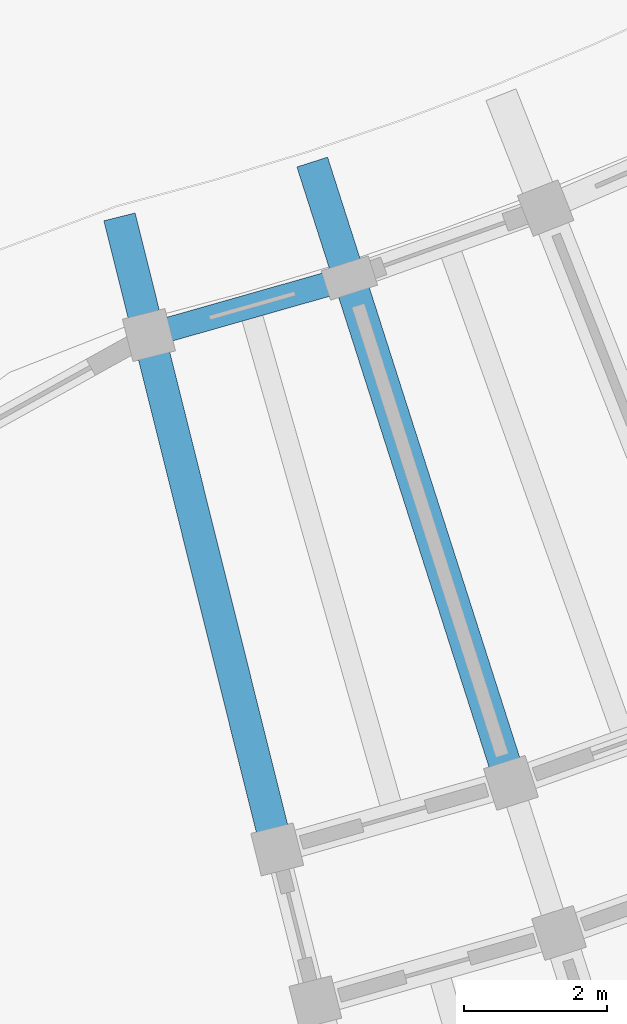
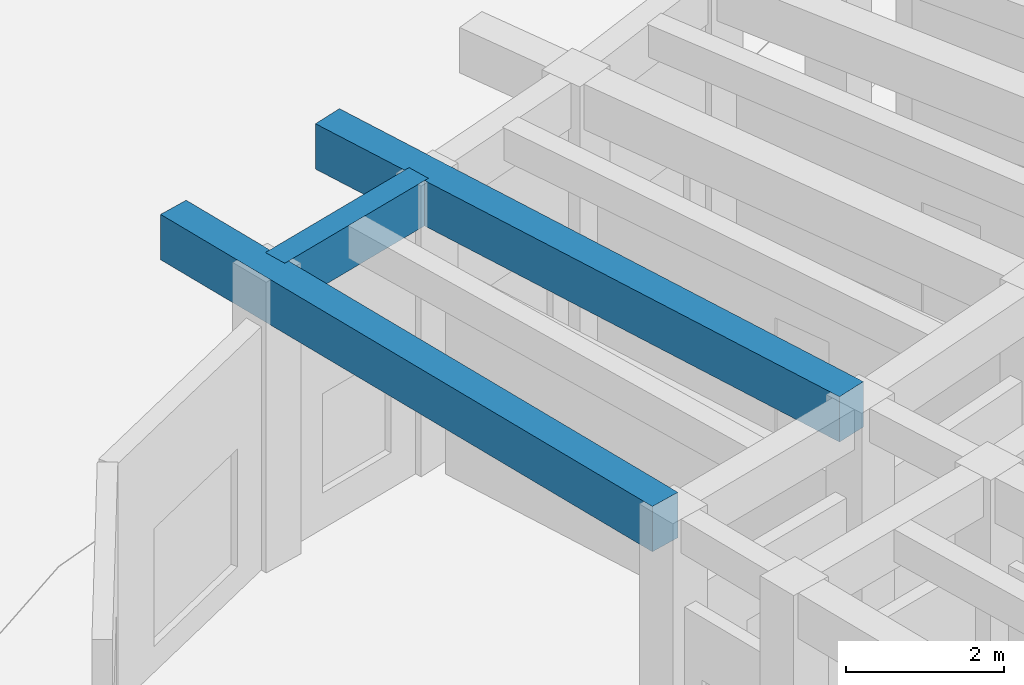
# One storey, part 28 of 132: 3 beams.
"""IFC4 building model written with IfcOpenShell, lengths in metres."""

from ifc_helpers import new_model, si_unit, direction, frame, origin, origin_2d, place, context, subcontext, project, spatial, rectangle, extrude, material, material_profile, profile_set, type_object, element, save


model = new_model("IFC4")

# Units and contexts
model_context = context("Model", 3, precision=1e-05, world=origin(), true_north=direction((0.0, 1.0)))
body_context = subcontext(model_context, "Body", "Model", "MODEL_VIEW")
ifc_project = project(units=[si_unit("LENGTHUNIT", "METRE"), si_unit("AREAUNIT", "SQUARE_METRE"), si_unit("VOLUMEUNIT", "CUBIC_METRE"), si_unit("PLANEANGLEUNIT", "RADIAN"), si_unit("MASSUNIT", "GRAM", prefix="KILO")], contexts=[model_context])

# Site, building, storey
site_placement = place(None, origin())
site = spatial("IfcSite", under=ifc_project, at=site_placement, CompositionType="ELEMENT")
building_placement = place(site_placement, origin())
building = spatial("IfcBuilding", under=site, at=building_placement, Name="Tanwirah Colonnade Gardens", CompositionType="ELEMENT")
storey_placement = place(building_placement, origin())
storey = spatial("IfcBuildingStorey", under=building, at=storey_placement, Name="L00", CompositionType="ELEMENT", Elevation=0.0)

# Beams
ifc_material = material(Name="Precast concrete C45/55", Category="concrete")
ifc_material_profile_1 = material_profile(ifc_material, rectangle(XDim=0.449951171875, YDim=0.699951171875, at=origin_2d()), Name="PC-BM 450x700")
ifc_profile_set_1 = profile_set([ifc_material_profile_1], Name="Precast concrete C45/55")
beam_type_1 = type_object("IfcBeamType", Name="BM-PC450", PredefinedType="BEAM", material=ifc_profile_set_1)
for number, where, z_axis, x_axis, name in (
    (1, (133.50732421875, 14.335693359375, 4.135009765625), (-0.241932243826, 0.970293146115, 0.0), (-0.970293146115, -0.241932243826, 0.0), "Block D L00 Inner Radial Precast Girder 0"),
    (2, (136.761474609375, 15.26123046875, 4.135009765625), (-0.304862826508, 0.952396270999, 0.0), (-0.952396270999, -0.304862826508, 0.0), "Block D L00 Inner Radial Precast Girder 1"),
):
    element("IfcBeam", number, at=place(storey_placement, frame(where, z_axis=z_axis, x_axis=x_axis)), inside=storey, type_object=beam_type_1, Name=name, PredefinedType="BEAM", context=body_context, shape_type="SweptSolid", body=[
        extrude(rectangle(XDim=0.449951171875, YDim=0.699951171875, at=origin_2d()), origin(), (0.0, 0.0, 1.0), 8.949951171875),
    ])
ifc_material_profile_2 = material_profile(ifc_material, rectangle(XDim=0.340087890625, YDim=0.699951171875, at=origin_2d()), Name="PC-SP 340x700")
ifc_profile_set_2 = profile_set([ifc_material_profile_2], Name="Precast concrete C45/55")
beam_type_2 = type_object("IfcBeamType", Name="SP-PC340", PredefinedType="SPANDREL", material=ifc_profile_set_2)
beam_placement = place(storey_placement, frame((131.897705078125, 21.411376953125, 4.135009765625), z_axis=(0.961858721299, 0.273546705814, 0.0), x_axis=(-0.273546705814, 0.961858721299, 0.0)))
element("IfcBeam", 3, at=beam_placement, inside=storey, type_object=beam_type_2, Name="Block D L00 Circumferential Beam 0-R0", PredefinedType="SPANDREL", context=body_context, shape_type="SweptSolid", body=[
    extrude(rectangle(XDim=0.340087890625, YDim=0.699951171875, at=origin_2d()), origin(), (0.0, 0.0, 1.0), 2.60888671875),
])

save(model, "model.ifc")
